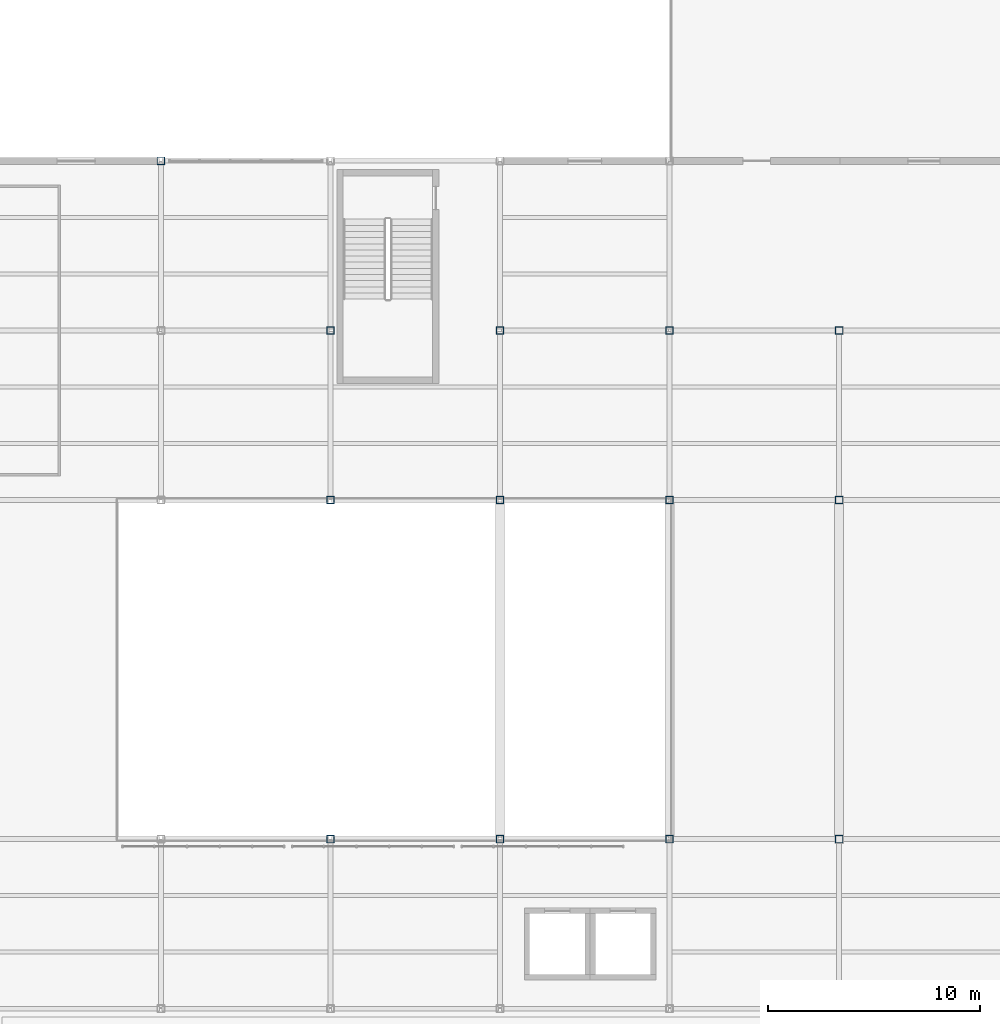
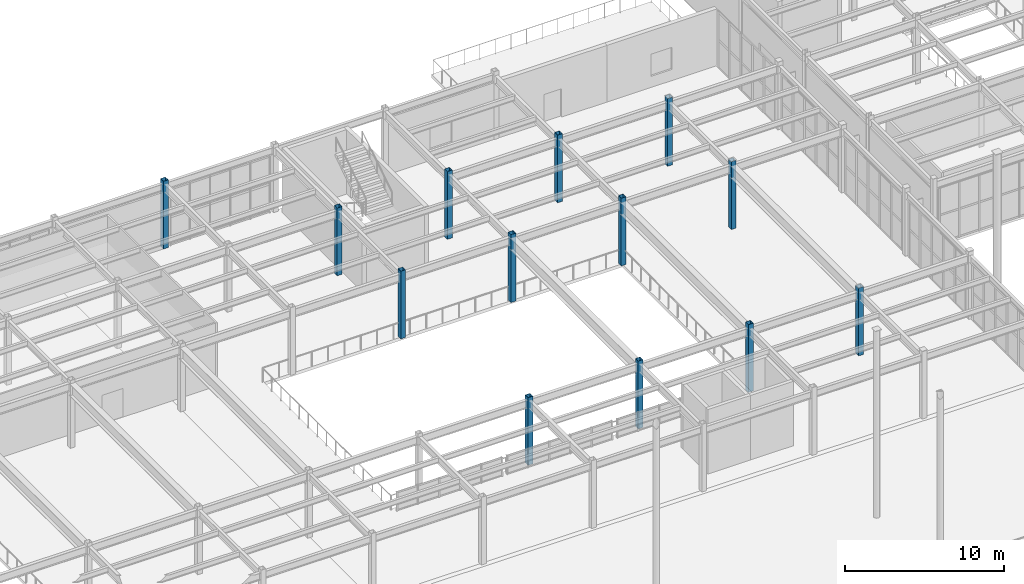
# One storey, part 11 of 77: 13 columns.
"""IFC4 building model written with IfcOpenShell, lengths in metres."""

from ifc_helpers import new_model, si_unit, direction, frame, origin, origin_2d, place, context, subcontext, project, spatial, hollow_rectangle, extrude, material, material_profile, profile_set, type_object, element, save


model = new_model("IFC4")

# Units and contexts
model_context = context("Model", 3, precision=1e-05, world=origin(), true_north=direction((0.0, 1.0)))
body_context = subcontext(model_context, "Body", "Model", "MODEL_VIEW")
ifc_project = project(units=[si_unit("LENGTHUNIT", "METRE"), si_unit("AREAUNIT", "SQUARE_METRE"), si_unit("VOLUMEUNIT", "CUBIC_METRE"), si_unit("PLANEANGLEUNIT", "RADIAN"), si_unit("MASSUNIT", "GRAM", prefix="KILO")], contexts=[model_context])

# Site, building, storey
site_placement = place(None, origin())
site = spatial("IfcSite", under=ifc_project, at=site_placement, CompositionType="ELEMENT")
building_placement = place(site_placement, origin())
building = spatial("IfcBuilding", under=site, at=building_placement, Name="Drelvath Fold Interchange", CompositionType="ELEMENT")
storey_placement = place(building_placement, frame((0.0, 0.0, 6.0)))
storey = spatial("IfcBuildingStorey", under=building, at=storey_placement, Name="L01", CompositionType="ELEMENT", Elevation=6.0)

# Columns
ifc_material = material(Name="Steel ASTM A500 Grade C", Category="steel")
ifc_material_profile = material_profile(ifc_material, hollow_rectangle(XDim=0.35595703125, YDim=0.35595703125, WallThickness=0.014892578125, at=origin_2d()), Name="HSS14X14X5/8")
ifc_profile_set = profile_set([ifc_material_profile], Name="Steel ASTM A500 Grade C")
column_type = type_object("IfcColumnType", Name="COL-HSS356", PredefinedType="COLUMN", material=ifc_profile_set)
for number, where, z_axis, x_axis, name in (
    (1, (60.0, 99.0, 0.0), (0.0, 0.0, 1.0), (1.0, 0.0, 0.0), "L01 column (60,99)"),
    (2, (68.0, 67.0, 0.0), (0.0, 0.0, 1.0), (1.0, 0.0, 0.0), "L01 column (68,67)"),
    (3, (68.0, 83.0, 0.0), (0.0, 0.0, 1.0), (1.0, 0.0, 0.0), "L01 column (68,83)"),
    (4, (68.0, 91.0, 0.0), (0.0, 0.0, 1.0), (1.0, 0.0, 0.0), "L01 column (68,91)"),
    (5, (76.0, 67.0, 0.0), (0.0, 0.0, 1.0), (1.0, 0.0, 0.0), "L01 column (76,67)"),
    (6, (76.0, 83.0, 0.0), (0.0, 0.0, 1.0), (1.0, 0.0, 0.0), "L01 column (76,83)"),
    (7, (76.0, 91.0, 0.0), (0.0, 0.0, 1.0), (1.0, 0.0, 0.0), "L01 column (76,91)"),
    (8, (84.0, 67.0, 0.0), (0.0, 0.0, 1.0), (1.0, 0.0, 0.0), "L01 column (84,67)"),
    (9, (84.0, 83.0, 0.0), (0.0, 0.0, 1.0), (1.0, 0.0, 0.0), "L01 column (84,83)"),
    (10, (84.0, 91.0, 0.0), (0.0, 0.0, 1.0), (1.0, 0.0, 0.0), "L01 column (84,91)"),
    (11, (92.0, 67.0, 0.0), (0.0, 0.0, 1.0), (1.0, 0.0, 0.0), "L01 column (92,67)"),
    (12, (92.0, 83.0, 0.0), (0.0, 0.0, 1.0), (1.0, 0.0, 0.0), "L01 column (92,83)"),
    (13, (92.0, 91.0, 0.0), (0.0, 0.0, 1.0), (1.0, 0.0, 0.0), "L01 column (92,91)"),
):
    element("IfcColumn", number, at=place(storey_placement, frame(where, z_axis=z_axis, x_axis=x_axis)), inside=storey, type_object=column_type, Name=name, PredefinedType="COLUMN", context=body_context, shape_type="SweptSolid", body=[
        extrude(hollow_rectangle(XDim=0.35595703125, YDim=0.35595703125, WallThickness=0.014892578125, at=origin_2d()), origin(), (0.0, 0.0, 1.0), 5.199951171875),
    ])

save(model, "model.ifc")
